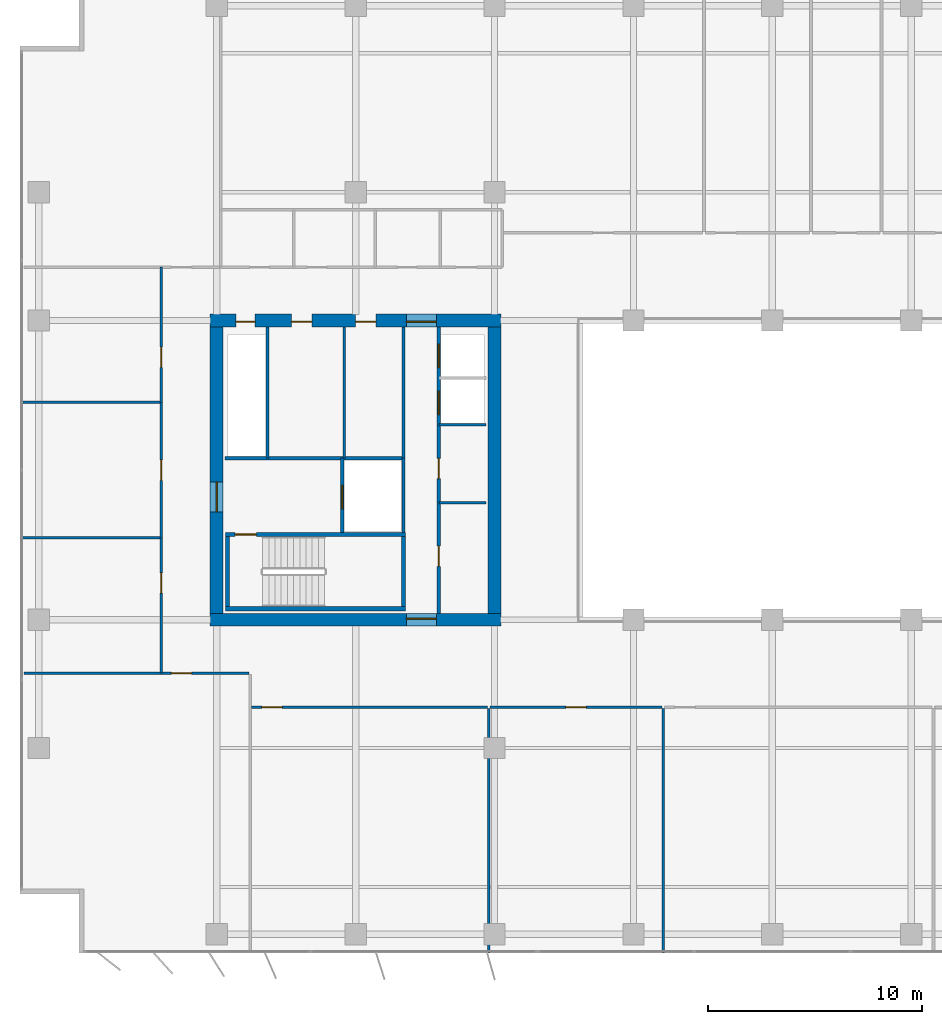
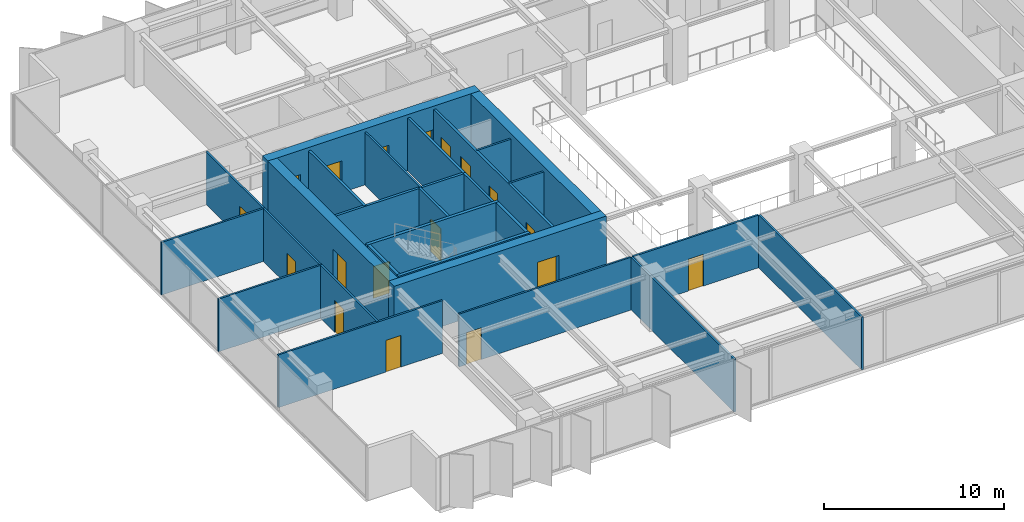
# One storey, part 15 of 22: 27 walls, 18 doors, 18 openings.
"""IFC4 building model written with IfcOpenShell, lengths in metres."""

import ifcopenshell
import ifcopenshell.guid

model = None  # the IFC model being written
_history = None  # IfcOwnerHistory: only IFC2X3 demands one
_inside = {}  # id of a spatial element -> (the spatial element, [elements in it])
_under = {}  # id of a project, library or spatial element -> (it, [spatial elements below it])
_declared = {}  # id of a project -> (the project, [libraries it declares])
_typed = {}  # id of a type object -> (the type object, [elements of that type])
_made_of = {}  # id of a material, layer set ... -> (it, [elements and type objects made of it])


def new_model(schema):
    """Start an empty IFC model of exactly this schema.

    Asked for "IFC4X3", IfcOpenShell would pick the latest addendum, in which some entities
    have other attributes; the version numbers below select the first issue.
    IFC2X3 requires an IfcOwnerHistory on every rooted entity: one is made here for all.
    """
    global model, _history
    if schema == "IFC4X3":
        model = ifcopenshell.file(schema_version=(4, 3, 0, 0))
    else:
        model = ifcopenshell.file(schema=schema)
    _inside.clear()
    _under.clear()
    _declared.clear()
    _typed.clear()
    _made_of.clear()
    _history = None
    if model.schema == "IFC2X3":
        org = make("IfcOrganization", Name="unknown")
        user = make(
            "IfcPersonAndOrganization",
            ThePerson=make("IfcPerson", FamilyName="unknown"),
            TheOrganization=org,
        )
        app = make(
            "IfcApplication",
            ApplicationDeveloper=org,
            Version="unknown",
            ApplicationFullName="unknown",
            ApplicationIdentifier="unknown",
        )
        _history = make(
            "IfcOwnerHistory",
            OwningUser=user,
            OwningApplication=app,
            ChangeAction="ADDED",
            CreationDate=0,
        )
    return model


def make(cls, **values):
    """One entity of the class cls with the attributes given. An attribute that is None is left unset."""
    return model.create_entity(
        cls, **{name: value for name, value in values.items() if value is not None}
    )


def rooted(cls, **values):
    """An entity with a GlobalId (a new one), such as an element, a storey or a relation."""
    return make(cls, GlobalId=ifcopenshell.guid.new(), OwnerHistory=_history, **values)


def si_unit(unit_type, name, prefix=None):
    """IfcSIUnit, for example si_unit("LENGTHUNIT", "METRE", prefix="MILLI")."""
    return make("IfcSIUnit", UnitType=unit_type, Prefix=prefix, Name=name)


def assignment(units):
    """IfcUnitAssignment: the units of a project."""
    return None if units is None else make("IfcUnitAssignment", Units=units)


def point(xyz):
    """IfcCartesianPoint."""
    return None if xyz is None else make("IfcCartesianPoint", Coordinates=xyz)


def direction(xyz):
    """IfcDirection."""
    return None if xyz is None else make("IfcDirection", DirectionRatios=xyz)


def frame(location, z_axis=None, x_axis=None):
    """IfcAxis2Placement3D, a coordinate frame: its origin and axes. An axis left out is left unset."""
    return make(
        "IfcAxis2Placement3D",
        Location=point(location),
        Axis=direction(z_axis),
        RefDirection=direction(x_axis),
    )


def frame_2d(location, x_axis=None):
    """IfcAxis2Placement2D, a coordinate frame in the plane: its origin and x axis."""
    return make(
        "IfcAxis2Placement2D", Location=point(location), RefDirection=direction(x_axis)
    )


def origin():
    """The frame at (0, 0, 0) with its axes left unset."""
    return frame((0.0, 0.0, 0.0))


def place(relative_to, where):
    """IfcLocalPlacement: puts the frame where relative to a parent placement (None: the world)."""
    return make(
        "IfcLocalPlacement", PlacementRelTo=relative_to, RelativePlacement=where
    )


def context(
    kind, dimensions, precision=None, world=None, true_north=None, identifier=None
):
    """IfcGeometricRepresentationContext, for example the 3D "Model" context."""
    return make(
        "IfcGeometricRepresentationContext",
        ContextIdentifier=identifier,
        ContextType=kind,
        CoordinateSpaceDimension=dimensions,
        Precision=precision,
        WorldCoordinateSystem=world,
        TrueNorth=true_north,
    )


def subcontext(parent, identifier, kind, view, scale=None):
    """IfcGeometricRepresentationSubContext, for example "Body" below "Model"."""
    return make(
        "IfcGeometricRepresentationSubContext",
        ContextIdentifier=identifier,
        ContextType=kind,
        ParentContext=parent,
        TargetScale=scale,
        TargetView=view,
    )


def project(units=None, contexts=None):
    """IfcProject with its units and contexts."""
    return rooted(
        "IfcProject",
        Name="project",
        RepresentationContexts=contexts,
        UnitsInContext=assignment(units),
    )


def spatial(cls, under=None, at=None, **own):
    """A site, building, storey or space (cls), placed at a placement, below another one or the project."""
    s = rooted(cls, ObjectPlacement=at, **own)
    if under is not None:
        _under.setdefault(under.id(), (under, []))[1].append(s)
    return s


def profile(cls, at=None, kind="AREA", **sizes):
    """A parametric profile (cls). Its sizes go by their IFC names, for example OverallWidth=200.0."""
    return make(cls, ProfileType=kind, Position=at, **sizes)


def rectangle(**sizes):
    """IfcRectangleProfileDef."""
    return profile("IfcRectangleProfileDef", **sizes)


def extrude(swept, where, along, depth):
    """IfcExtrudedAreaSolid: the profile swept, set in the frame where, extruded along a direction by depth."""
    return make(
        "IfcExtrudedAreaSolid",
        SweptArea=swept,
        Position=where,
        ExtrudedDirection=direction(along),
        Depth=depth,
    )


def shape(context_of_items, identifier, shape_type, items):
    """IfcShapeRepresentation: the items that make up one representation, for example the "Body"."""
    return make(
        "IfcShapeRepresentation",
        ContextOfItems=context_of_items,
        RepresentationIdentifier=identifier,
        RepresentationType=shape_type,
        Items=items,
    )


def material(Name=None, Category=None):
    """IfcMaterial."""
    return make("IfcMaterial", Name=Name, Category=Category)


def layer(
    of_material, thickness, ventilated=None, Name=None, Category=None, Priority=None
):
    """IfcMaterialLayer: one layer of a wall or slab, of a material (None: an air gap)."""
    return make(
        "IfcMaterialLayer",
        Material=of_material,
        LayerThickness=thickness,
        IsVentilated=ventilated,
        Name=Name,
        Category=Category,
        Priority=Priority,
    )


def layer_set(layers, Name=None):
    """IfcMaterialLayerSet."""
    return make("IfcMaterialLayerSet", MaterialLayers=layers, LayerSetName=Name)


def made_of(thing, what):
    """Note that an element or type object is made of a material, layer set ...; save() writes the relation."""
    if what is not None:
        _made_of.setdefault(what.id(), (what, []))[1].append(thing)
    return thing


def type_object(cls, material=None, **own):
    """A type object (cls), such as IfcWallType, which elements share."""
    return made_of(rooted(cls, **own), material)


def element(
    cls,
    number,
    at=None,
    inside=None,
    cuts=None,
    type_object=None,
    material=None,
    context=None,
    identifier="Body",
    shape_type=None,
    held_by="IfcProductDefinitionShape",
    body=None,
    shapes=None,
    **own,
):
    """One element of the class cls, such as IfcWall. Its Tag is "e" and its number.

    at: its placement. inside: the storey or other place that contains it. cuts: it is an
    opening in that element (IfcRelVoidsElement). A single representation is given by context,
    identifier, shape_type and body (its items); several are given by shapes. held_by: the class
    of the entity that holds the representations. save() writes the other relations.
    """
    e = rooted(cls, Tag="e%d" % number, ObjectPlacement=at, **own)
    if body is not None:
        shapes = [shape(context, identifier, shape_type, body)]
    if shapes is not None:
        e.Representation = make(held_by, Representations=shapes)
    if inside is not None:
        _inside.setdefault(inside.id(), (inside, []))[1].append(e)
    if cuts is not None:
        rooted(
            "IfcRelVoidsElement", RelatingBuildingElement=cuts, RelatedOpeningElement=e
        )
    if type_object is not None:
        _typed.setdefault(type_object.id(), (type_object, []))[1].append(e)
    return made_of(e, material)


def fill(opening, filler):
    """IfcRelFillsElement: the door or window that sits in an opening."""
    return rooted(
        "IfcRelFillsElement",
        RelatingOpeningElement=opening,
        RelatedBuildingElement=filler,
    )


def aggregate(whole, parts):
    """IfcRelAggregates: a whole, such as a stair, and the parts it consists of."""
    return rooted("IfcRelAggregates", RelatingObject=whole, RelatedObjects=parts)


def save(model, path):
    """Write the relations noted so far, then the file.

    IfcRelAggregates (storeys below a building ...), IfcRelContainedInSpatialStructure (elements
    in a storey), IfcRelDefinesByType, IfcRelAssociatesMaterial and IfcRelDeclares: one each for
    every whole, place, type object, material and project.
    """
    for whole, parts in _under.values():
        aggregate(whole, parts)
    for where, things in _inside.values():
        rooted(
            "IfcRelContainedInSpatialStructure",
            RelatedElements=things,
            RelatingStructure=where,
        )
    for kind, things in _typed.values():
        rooted("IfcRelDefinesByType", RelatedObjects=things, RelatingType=kind)
    for what, things in _made_of.values():
        rooted("IfcRelAssociatesMaterial", RelatedObjects=things, RelatingMaterial=what)
    for by, libraries in _declared.values():
        rooted("IfcRelDeclares", RelatingContext=by, RelatedDefinitions=libraries)
    model.write(path)


model = new_model("IFC4")

# Units and contexts
model_context = context("Model", 3, precision=1e-05, world=origin(), true_north=direction((0.0, 1.0)))
body_context = subcontext(model_context, "Body", "Model", "MODEL_VIEW")
ifc_project = project(units=[si_unit("LENGTHUNIT", "METRE"), si_unit("AREAUNIT", "SQUARE_METRE"), si_unit("VOLUMEUNIT", "CUBIC_METRE"), si_unit("PLANEANGLEUNIT", "RADIAN"), si_unit("MASSUNIT", "GRAM", prefix="KILO")], contexts=[model_context])

# Site, building, storey
site_placement = place(None, origin())
site = spatial("IfcSite", under=ifc_project, at=site_placement, CompositionType="ELEMENT")
building_placement = place(site_placement, origin())
building = spatial("IfcBuilding", under=site, at=building_placement, Name="Putna Gate Headquarters", CompositionType="ELEMENT")
storey_placement = place(building_placement, frame((0.0, 0.0, 189.800048828125)))
storey = spatial("IfcBuildingStorey", under=building, at=storey_placement, Name="L47", CompositionType="ELEMENT", Elevation=189.800048828125)

# Wall, opening, door
ifc_material_1 = material(Name="Concrete C50/60", Category="concrete")
ifc_layer_1 = layer(ifc_material_1, 0.60009765625)
ifc_layer_set_1 = layer_set([ifc_layer_1], Name="Concrete C50/60")
wall_type_1 = type_object("IfcWallType", Name="WALL-CORE-600", PredefinedType="SHEAR", material=ifc_layer_set_1)
wall_1_placement = place(storey_placement, frame((12.699951171875, 19.0, 0.0), z_axis=(0.0, 0.0, 1.0), x_axis=(1.0, 0.0, 0.0)))
wall_1 = element("IfcWall", 1, at=wall_1_placement, inside=storey, type_object=wall_type_1, Name="L47 WC Split Core Shear Wall S", PredefinedType="SHEAR", context=body_context, shape_type="SweptSolid", body=[
    extrude(rectangle(XDim=13.60009765625, YDim=0.60009765625, at=frame_2d((6.800048828125, 0.0))), origin(), (0.0, 0.0, 1.0), 3.800048828125),
])
opening_1_placement = place(wall_1_placement, frame((9.179931640625, 0.0, 0.0)))
opening_1 = element("IfcOpeningElement", 2, at=opening_1_placement, cuts=wall_1, Name="Opening FDD-140", PredefinedType="OPENING", context=body_context, shape_type="SweptSolid", body=[
    extrude(rectangle(XDim=1.39990234375, YDim=2.199951171875, at=frame_2d((0.699951171875, 1.10009765625))), frame((0.0, 0.31005859375, 0.0), z_axis=(0.0, -1.0, 0.0), x_axis=(1.0, 0.0, 0.0)), (0.0, 0.0, 1.0), 0.6201171875),
])
ifc_material_2 = material(Name="Double steel fire door", Category="steel")
door_type_1 = type_object("IfcDoorType", Name="DOOR-FIRE-DBL-1400", OperationType="DOUBLE_DOOR_SINGLE_SWING", PredefinedType="DOOR", material=ifc_material_2)
door_1_placement = place(opening_1_placement, origin())
door_1 = element("IfcDoor", 3, at=door_1_placement, inside=storey, type_object=door_type_1, Name="L47 West Lift Lobby South Door", OperationType="DOUBLE_DOOR_SINGLE_SWING", OverallHeight=2.199951171875, OverallWidth=1.39990234375, PredefinedType="DOOR", context=body_context, shape_type="SweptSolid", body=[
    extrude(rectangle(XDim=1.39990234375, YDim=2.199951171875, at=frame_2d((0.699951171875, 1.10009765625))), frame((0.0, 0.0751953125, 0.0), z_axis=(0.0, -1.0, 0.0), x_axis=(1.0, 0.0, 0.0)), (0.0, 0.0, 1.0), 0.050048828125),
])
fill(opening_1, door_1)

# Wall, openings, doors
wall_2_placement = place(storey_placement, frame((12.699951171875, 33.0, 0.0), z_axis=(0.0, 0.0, 1.0), x_axis=(1.0, 0.0, 0.0)))
wall_2 = element("IfcWall", 4, at=wall_2_placement, inside=storey, type_object=wall_type_1, Name="L47 WC Split Core Shear Wall N", PredefinedType="SHEAR", context=body_context, shape_type="SweptSolid", body=[
    extrude(rectangle(XDim=13.60009765625, YDim=0.60009765625, at=frame_2d((6.800048828125, 0.0))), origin(), (0.0, 0.0, 1.0), 3.800048828125),
])
opening_2_placement = place(wall_2_placement, frame((1.199951171875, 0.0, 0.0)))
opening_2 = element("IfcOpeningElement", 5, at=opening_2_placement, cuts=wall_2, Name="Opening RD-90", PredefinedType="OPENING", context=body_context, shape_type="SweptSolid", body=[
    extrude(rectangle(XDim=0.89990234375, YDim=2.14990234375, at=frame_2d((0.449951171875, 1.074951171875))), frame((0.0, 0.31005859375, 0.0), z_axis=(0.0, -1.0, 0.0), x_axis=(1.0, 0.0, 0.0)), (0.0, 0.0, 1.0), 0.6201171875),
])
opening_3_placement = place(wall_2_placement, frame((3.800048828125, 0.0, 0.0)))
opening_3 = element("IfcOpeningElement", 6, at=opening_3_placement, cuts=wall_2, Name="Opening IDS-95", PredefinedType="OPENING", context=body_context, shape_type="SweptSolid", body=[
    extrude(rectangle(XDim=0.949951171875, YDim=2.14990234375, at=frame_2d((0.47509765625, 1.074951171875))), frame((0.0, 0.31005859375, 0.0), z_axis=(0.0, -1.0, 0.0), x_axis=(1.0, 0.0, 0.0)), (0.0, 0.0, 1.0), 0.6201171875),
])
opening_4_placement = place(wall_2_placement, frame((6.800048828125, 0.0, 0.0)))
opening_4 = element("IfcOpeningElement", 7, at=opening_4_placement, cuts=wall_2, Name="Opening IDS-95", PredefinedType="OPENING", context=body_context, shape_type="SweptSolid", body=[
    extrude(rectangle(XDim=0.949951171875, YDim=2.14990234375, at=frame_2d((0.47509765625, 1.074951171875))), frame((0.0, 0.31005859375, 0.0), z_axis=(0.0, -1.0, 0.0), x_axis=(1.0, 0.0, 0.0)), (0.0, 0.0, 1.0), 0.6201171875),
])
opening_5_placement = place(wall_2_placement, frame((9.179931640625, 0.0, 0.0)))
opening_5 = element("IfcOpeningElement", 8, at=opening_5_placement, cuts=wall_2, Name="Opening FDD-140", PredefinedType="OPENING", context=body_context, shape_type="SweptSolid", body=[
    extrude(rectangle(XDim=1.39990234375, YDim=2.199951171875, at=frame_2d((0.699951171875, 1.10009765625))), frame((0.0, 0.31005859375, 0.0), z_axis=(0.0, -1.0, 0.0), x_axis=(1.0, 0.0, 0.0)), (0.0, 0.0, 1.0), 0.6201171875),
])
door_2_placement = place(opening_5_placement, origin())
door_2 = element("IfcDoor", 9, at=door_2_placement, inside=storey, type_object=door_type_1, Name="L47 West Lift Lobby North Door", OperationType="DOUBLE_DOOR_SINGLE_SWING", OverallHeight=2.199951171875, OverallWidth=1.39990234375, PredefinedType="DOOR", context=body_context, shape_type="SweptSolid", body=[
    extrude(rectangle(XDim=1.39990234375, YDim=2.199951171875, at=frame_2d((0.699951171875, 1.10009765625))), frame((0.0, -0.02490234375, 0.0), z_axis=(0.0, -1.0, 0.0), x_axis=(1.0, 0.0, 0.0)), (0.0, 0.0, 1.0), 0.050048828125),
])
fill(opening_5, door_2)
ifc_material_3 = material(Name="Fire-rated service timber door", Category="wood")
door_type_2 = type_object("IfcDoorType", Name="DOOR-INT-950", OperationType="NOTDEFINED", PredefinedType="DOOR", material=ifc_material_3)
door_3_placement = place(opening_3_placement, origin())
door_3 = element("IfcDoor", 10, at=door_3_placement, inside=storey, type_object=door_type_2, Name="L47 Cleaner Store Door", OperationType="SINGLE_SWING_LEFT", OverallHeight=2.14990234375, OverallWidth=0.949951171875, PredefinedType="DOOR", context=body_context, shape_type="SweptSolid", body=[
    extrude(rectangle(XDim=0.949951171875, YDim=2.14990234375, at=frame_2d((0.47509765625, 1.074951171875))), frame((0.0, -0.02490234375, 0.0), z_axis=(0.0, -1.0, 0.0), x_axis=(1.0, 0.0, 0.0)), (0.0, 0.0, 1.0), 0.050048828125),
])
fill(opening_3, door_3)
door_4_placement = place(opening_4_placement, origin())
door_4 = element("IfcDoor", 11, at=door_4_placement, inside=storey, type_object=door_type_2, Name="L47 Comms Plant Door", OperationType="SINGLE_SWING_RIGHT", OverallHeight=2.14990234375, OverallWidth=0.949951171875, PredefinedType="DOOR", context=body_context, shape_type="SweptSolid", body=[
    extrude(rectangle(XDim=0.949951171875, YDim=2.14990234375, at=frame_2d((0.47509765625, 1.074951171875))), frame((0.0, -0.02490234375, 0.0), z_axis=(0.0, -1.0, 0.0), x_axis=(1.0, 0.0, 0.0)), (0.0, 0.0, 1.0), 0.050048828125),
])
fill(opening_4, door_4)
ifc_material_4 = material(Name="Steel riser access fire door", Category="steel")
door_type_3 = type_object("IfcDoorType", Name="DOOR-RISER-900", OperationType="NOTDEFINED", PredefinedType="DOOR", material=ifc_material_4)
door_5_placement = place(opening_2_placement, origin())
door_5 = element("IfcDoor", 12, at=door_5_placement, inside=storey, type_object=door_type_3, Name="L47 West Riser Access Door", OperationType="SINGLE_SWING_RIGHT", OverallHeight=2.14990234375, OverallWidth=0.89990234375, PredefinedType="DOOR", context=body_context, shape_type="SweptSolid", body=[
    extrude(rectangle(XDim=0.89990234375, YDim=2.14990234375, at=frame_2d((0.449951171875, 1.074951171875))), frame((0.0, -0.02490234375, 0.0), z_axis=(0.0, -1.0, 0.0), x_axis=(1.0, 0.0, 0.0)), (0.0, 0.0, 1.0), 0.050048828125),
])
fill(opening_2, door_5)

# Wall, opening, door
wall_3_placement = place(storey_placement, frame((13.0, 19.300048828125, 0.0), z_axis=(0.0, 0.0, 1.0), x_axis=(0.0, 1.0, 0.0)))
wall_3 = element("IfcWall", 13, at=wall_3_placement, inside=storey, type_object=wall_type_1, Name="L47 WC Split Core Shear Wall W", PredefinedType="SHEAR", context=body_context, shape_type="SweptSolid", body=[
    extrude(rectangle(XDim=13.39990234375, YDim=0.60009765625, at=frame_2d((6.699951171875, 0.0))), origin(), (0.0, 0.0, 1.0), 3.800048828125),
])
opening_6_placement = place(wall_3_placement, frame((4.75, 0.0, 0.0)))
opening_6 = element("IfcOpeningElement", 14, at=opening_6_placement, cuts=wall_3, Name="Opening FDD-140", PredefinedType="OPENING", context=body_context, shape_type="SweptSolid", body=[
    extrude(rectangle(XDim=1.39990234375, YDim=2.199951171875, at=frame_2d((0.699951171875, 1.10009765625))), frame((0.0, 0.31005859375, 0.0), z_axis=(0.0, -1.0, 0.0), x_axis=(1.0, 0.0, 0.0)), (0.0, 0.0, 1.0), 0.6201171875),
])
door_6_placement = place(opening_6_placement, origin())
door_6 = element("IfcDoor", 15, at=door_6_placement, inside=storey, type_object=door_type_1, Name="L47 West Firefighting Lobby Door", OperationType="DOUBLE_DOOR_SINGLE_SWING", OverallHeight=2.199951171875, OverallWidth=1.39990234375, PredefinedType="DOOR", context=body_context, shape_type="SweptSolid", body=[
    extrude(rectangle(XDim=1.39990234375, YDim=2.199951171875, at=frame_2d((0.699951171875, 1.10009765625))), frame((0.0, 0.02490234375, 0.0), z_axis=(0.0, -1.0, 0.0), x_axis=(1.0, 0.0, 0.0)), (0.0, 0.0, 1.0), 0.050048828125),
])
fill(opening_6, door_6)

# Walls
wall_4_placement = place(storey_placement, frame((26.0, 19.300048828125, 0.0), z_axis=(0.0, 0.0, 1.0), x_axis=(0.0, 1.0, 0.0)))
element("IfcWall", 16, at=wall_4_placement, inside=storey, type_object=wall_type_1, Name="L47 WC Split Core Shear Wall E", PredefinedType="SHEAR", context=body_context, shape_type="SweptSolid", body=[
    extrude(rectangle(XDim=13.39990234375, YDim=0.60009765625, at=frame_2d((6.699951171875, 0.0))), origin(), (0.0, 0.0, 1.0), 3.800048828125),
])
ifc_material_5 = material(Name="Acoustic gypsum board on metal stud")
ifc_layer_2 = layer(ifc_material_5, 0.1201171875)
ifc_layer_set_2 = layer_set([ifc_layer_2], Name="Acoustic gypsum board on metal stud")
wall_type_2 = type_object("IfcWallType", Name="WALL-PART-120", PredefinedType="PARTITIONING", material=ifc_layer_set_2)
for number, where, z_axis, x_axis, name in (
    (17, (25.727294921875, 3.419921875, 0.0), (0.0, 0.0, 1.0), (0.0, 1.0, 0.0), "L47 Interior Wall PART-L47-SB-DIV-02"),
    (18, (33.89404296875, 3.419921875, 0.0), (0.0, 0.0, 1.0), (0.0, 1.0, 0.0), "L47 Interior Wall PART-L47-SB-DIV-03"),
):
    element("IfcWall", number, at=place(storey_placement, frame(where, z_axis=z_axis, x_axis=x_axis)), inside=storey, type_object=wall_type_2, Name=name, PredefinedType="PARTITIONING", context=body_context, shape_type="SweptSolid", body=[
        extrude(rectangle(XDim=11.420166015625, YDim=0.1201171875, at=frame_2d((5.7099609375, 0.0))), origin(), (0.0, 0.0, 1.0), 3.572021484375),
    ])
for number, where, z_axis, x_axis, name in (
    (19, (3.820068359375, 22.833251953125, 0.0), (0.0, 0.0, 1.0), (1.0, 0.0, 0.0), "L47 Interior Wall PART-L47-WW-DIV-1"),
    (20, (3.820068359375, 29.166748046875, 0.0), (0.0, 0.0, 1.0), (1.0, 0.0, 0.0), "L47 Interior Wall PART-L47-WW-DIV-2"),
):
    element("IfcWall", number, at=place(storey_placement, frame(where, z_axis=z_axis, x_axis=x_axis)), inside=storey, type_object=wall_type_2, Name=name, PredefinedType="PARTITIONING", context=body_context, shape_type="SweptSolid", body=[
        extrude(rectangle(XDim=6.579833984375, YDim=0.1201171875, at=frame_2d((3.2900390625, 0.0))), origin(), (0.0, 0.0, 1.0), 3.572021484375),
    ])
ifc_material_6 = material(Name="Fire-rated gypsum board on metal stud")
ifc_layer_3 = layer(ifc_material_6, 0.1201171875)
ifc_layer_set_3 = layer_set([ifc_layer_3], Name="Fire-rated gypsum board on metal stud")
wall_type_3 = type_object("IfcWallType", Name="WALL-PART-120-RATED", PredefinedType="PARTITIONING", material=ifc_layer_set_3)
wall_5_placement = place(storey_placement, frame((18.969970703125, 26.56005859375, 0.0), z_axis=(0.0, 0.0, 1.0), x_axis=(0.0, 1.0, 0.0)))
element("IfcWall", 21, at=wall_5_placement, inside=storey, type_object=wall_type_3, Name="L47 Interior Wall CWINT-L47-WC-K0-DIV", PredefinedType="PARTITIONING", context=body_context, shape_type="SweptSolid", body=[
    extrude(rectangle(XDim=6.139892578125, YDim=0.1201171875, at=frame_2d((3.06982421875, 0.0))), origin(), (0.0, 0.0, 1.0), 3.572021484375),
])
for number, where, z_axis, x_axis, name in (
    (22, (23.39990234375, 24.469970703125, 0.0), (0.0, 0.0, 1.0), (1.0, 0.0, 0.0), "L47 Interior Wall CWINT-L47-WC-REUSE-DIV"),
    (23, (23.39990234375, 28.1201171875, 0.0), (0.0, 0.0, 1.0), (1.0, 0.0, 0.0), "L47 Interior Wall CWINT-L47-WC-LF06-DIV"),
):
    element("IfcWall", number, at=place(storey_placement, frame(where, z_axis=z_axis, x_axis=x_axis)), inside=storey, type_object=wall_type_3, Name=name, PredefinedType="PARTITIONING", context=body_context, shape_type="SweptSolid", body=[
        extrude(rectangle(XDim=2.2001953125, YDim=0.1201171875, at=frame_2d((1.10009765625, 0.0))), origin(), (0.0, 0.0, 1.0), 3.572021484375),
    ])

# Wall, opening, door
wall_6_placement = place(storey_placement, frame((3.97998046875, 16.5, 0.0), z_axis=(0.0, 0.0, 1.0), x_axis=(1.0, 0.0, 0.0)))
wall_6 = element("IfcWall", 24, at=wall_6_placement, inside=storey, type_object=wall_type_3, Name="L47 Interior Wall PART-L47-SB-CW-01", PredefinedType="PARTITIONING", context=body_context, shape_type="SweptSolid", body=[
    extrude(rectangle(XDim=10.537109375, YDim=0.1201171875, at=frame_2d((5.2685546875, 0.0))), origin(), (0.0, 0.0, 1.0), 3.572021484375),
])
opening_7_placement = place(wall_6_placement, frame((6.89990234375, 0.0, 0.0)))
opening_7 = element("IfcOpeningElement", 25, at=opening_7_placement, cuts=wall_6, Name="Opening FD-95", PredefinedType="OPENING", context=body_context, shape_type="SweptSolid", body=[
    extrude(rectangle(XDim=0.949951171875, YDim=2.14990234375, at=frame_2d((0.47509765625, 1.074951171875))), frame((0.0, 0.070068359375, 0.0), z_axis=(0.0, -1.0, 0.0), x_axis=(1.0, 0.0, 0.0)), (0.0, 0.0, 1.0), 0.14013671875),
])
ifc_material_7 = material(Name="Acoustic timber fire door", Category="wood")
door_type_4 = type_object("IfcDoorType", Name="DOOR-FIRE-950", OperationType="NOTDEFINED", PredefinedType="DOOR", material=ifc_material_7)
door_7_placement = place(opening_7_placement, origin())
door_7 = element("IfcDoor", 26, at=door_7_placement, inside=storey, type_object=door_type_4, Name="L47 Conference Meeting Room 5 Door", OperationType="SINGLE_SWING_LEFT", OverallHeight=2.14990234375, OverallWidth=0.949951171875, PredefinedType="DOOR", context=body_context, shape_type="SweptSolid", body=[
    extrude(rectangle(XDim=0.949951171875, YDim=2.14990234375, at=frame_2d((0.47509765625, 1.074951171875))), frame((0.0, 0.02490234375, 0.0), z_axis=(0.0, -1.0, 0.0), x_axis=(1.0, 0.0, 0.0)), (0.0, 0.0, 1.0), 0.050048828125),
])
fill(opening_7, door_7)

wall_7_placement = place(storey_placement, frame((14.63720703125, 14.89990234375, 0.0), z_axis=(0.0, 0.0, 1.0), x_axis=(1.0, 0.0, 0.0)))
wall_7 = element("IfcWall", 27, at=wall_7_placement, inside=storey, type_object=wall_type_3, Name="L47 Interior Wall PART-L47-SB-CW-02", PredefinedType="PARTITIONING", context=body_context, shape_type="SweptSolid", body=[
    extrude(rectangle(XDim=11.0302734375, YDim=0.1201171875, at=frame_2d((5.51513671875, 0.0))), origin(), (0.0, 0.0, 1.0), 3.572021484375),
])
opening_8_placement = place(wall_7_placement, frame((0.47998046875, 0.0, 0.0)))
opening_8 = element("IfcOpeningElement", 28, at=opening_8_placement, cuts=wall_7, Name="Opening FD-95", PredefinedType="OPENING", context=body_context, shape_type="SweptSolid", body=[
    extrude(rectangle(XDim=0.949951171875, YDim=2.14990234375, at=frame_2d((0.47509765625, 1.074951171875))), frame((0.0, 0.070068359375, 0.0), z_axis=(0.0, -1.0, 0.0), x_axis=(1.0, 0.0, 0.0)), (0.0, 0.0, 1.0), 0.14013671875),
])
door_8_placement = place(opening_8_placement, origin())
door_8 = element("IfcDoor", 29, at=door_8_placement, inside=storey, type_object=door_type_4, Name="L47 Cellular Office 4 Door", OperationType="SINGLE_SWING_RIGHT", OverallHeight=2.14990234375, OverallWidth=0.949951171875, PredefinedType="DOOR", context=body_context, shape_type="SweptSolid", body=[
    extrude(rectangle(XDim=0.949951171875, YDim=2.14990234375, at=frame_2d((0.47509765625, 1.074951171875))), frame((0.0, 0.02490234375, 0.0), z_axis=(0.0, -1.0, 0.0), x_axis=(1.0, 0.0, 0.0)), (0.0, 0.0, 1.0), 0.050048828125),
])
fill(opening_8, door_8)

wall_8_placement = place(storey_placement, frame((25.787353515625, 14.89990234375, 0.0), z_axis=(0.0, 0.0, 1.0), x_axis=(1.0, 0.0, 0.0)))
wall_8 = element("IfcWall", 30, at=wall_8_placement, inside=storey, type_object=wall_type_3, Name="L47 Interior Wall PART-L47-SB-CW-03", PredefinedType="PARTITIONING", context=body_context, shape_type="SweptSolid", body=[
    extrude(rectangle(XDim=8.046630859375, YDim=0.1201171875, at=frame_2d((4.0234375, 0.0))), origin(), (0.0, 0.0, 1.0), 3.572021484375),
])
opening_9_placement = place(wall_8_placement, frame((3.54833984375, 0.0, 0.0)))
opening_9 = element("IfcOpeningElement", 31, at=opening_9_placement, cuts=wall_8, Name="Opening FD-95", PredefinedType="OPENING", context=body_context, shape_type="SweptSolid", body=[
    extrude(rectangle(XDim=0.949951171875, YDim=2.14990234375, at=frame_2d((0.47509765625, 1.074951171875))), frame((0.0, 0.070068359375, 0.0), z_axis=(0.0, -1.0, 0.0), x_axis=(1.0, 0.0, 0.0)), (0.0, 0.0, 1.0), 0.14013671875),
])
door_9_placement = place(opening_9_placement, origin())
door_9 = element("IfcDoor", 32, at=door_9_placement, inside=storey, type_object=door_type_4, Name="L47 Cellular Office 5 Door", OperationType="SINGLE_SWING_LEFT", OverallHeight=2.14990234375, OverallWidth=0.949951171875, PredefinedType="DOOR", context=body_context, shape_type="SweptSolid", body=[
    extrude(rectangle(XDim=0.949951171875, YDim=2.14990234375, at=frame_2d((0.47509765625, 1.074951171875))), frame((0.0, 0.02490234375, 0.0), z_axis=(0.0, -1.0, 0.0), x_axis=(1.0, 0.0, 0.0)), (0.0, 0.0, 1.0), 0.050048828125),
])
fill(opening_9, door_9)

wall_9_placement = place(storey_placement, frame((10.39990234375, 16.5, 0.0), z_axis=(0.0, 0.0, 1.0), x_axis=(0.0, 1.0, 0.0)))
wall_9 = element("IfcWall", 33, at=wall_9_placement, inside=storey, type_object=wall_type_3, Name="L47 Interior Wall PART-L47-WW-CW-1", PredefinedType="PARTITIONING", context=body_context, shape_type="SweptSolid", body=[
    extrude(rectangle(XDim=6.333251953125, YDim=0.1201171875, at=frame_2d((3.16650390625, 0.0))), origin(), (0.0, 0.0, 1.0), 3.572021484375),
])
opening_10_placement = place(wall_9_placement, frame((3.74169921875, 0.0, 0.0)))
opening_10 = element("IfcOpeningElement", 34, at=opening_10_placement, cuts=wall_9, Name="Opening FD-95", PredefinedType="OPENING", context=body_context, shape_type="SweptSolid", body=[
    extrude(rectangle(XDim=0.949951171875, YDim=2.14990234375, at=frame_2d((0.47509765625, 1.074951171875))), frame((0.0, 0.070068359375, 0.0), z_axis=(0.0, -1.0, 0.0), x_axis=(1.0, 0.0, 0.0)), (0.0, 0.0, 1.0), 0.14013671875),
])
door_10_placement = place(opening_10_placement, origin())
door_10 = element("IfcDoor", 35, at=door_10_placement, inside=storey, type_object=door_type_4, Name="L47 West Project Meeting Room 1 Door", OperationType="SINGLE_SWING_RIGHT", OverallHeight=2.14990234375, OverallWidth=0.949951171875, PredefinedType="DOOR", context=body_context, shape_type="SweptSolid", body=[
    extrude(rectangle(XDim=0.949951171875, YDim=2.14990234375, at=frame_2d((0.47509765625, 1.074951171875))), frame((0.0, 0.02490234375, 0.0), z_axis=(0.0, -1.0, 0.0), x_axis=(1.0, 0.0, 0.0)), (0.0, 0.0, 1.0), 0.050048828125),
])
fill(opening_10, door_10)

wall_10_placement = place(storey_placement, frame((10.39990234375, 22.833251953125, 0.0), z_axis=(0.0, 0.0, 1.0), x_axis=(0.0, 1.0, 0.0)))
wall_10 = element("IfcWall", 36, at=wall_10_placement, inside=storey, type_object=wall_type_3, Name="L47 Interior Wall PART-L47-WW-CW-2", PredefinedType="PARTITIONING", context=body_context, shape_type="SweptSolid", body=[
    extrude(rectangle(XDim=6.33349609375, YDim=0.1201171875, at=frame_2d((3.166748046875, 0.0))), origin(), (0.0, 0.0, 1.0), 3.572021484375),
])
opening_11_placement = place(wall_10_placement, frame((2.691650390625, 0.0, 0.0)))
opening_11 = element("IfcOpeningElement", 37, at=opening_11_placement, cuts=wall_10, Name="Opening FD-95", PredefinedType="OPENING", context=body_context, shape_type="SweptSolid", body=[
    extrude(rectangle(XDim=0.949951171875, YDim=2.14990234375, at=frame_2d((0.47509765625, 1.074951171875))), frame((0.0, 0.070068359375, 0.0), z_axis=(0.0, -1.0, 0.0), x_axis=(1.0, 0.0, 0.0)), (0.0, 0.0, 1.0), 0.14013671875),
])
door_11_placement = place(opening_11_placement, origin())
door_11 = element("IfcDoor", 38, at=door_11_placement, inside=storey, type_object=door_type_4, Name="L47 West Project Meeting Room 2 Door", OperationType="SINGLE_SWING_LEFT", OverallHeight=2.14990234375, OverallWidth=0.949951171875, PredefinedType="DOOR", context=body_context, shape_type="SweptSolid", body=[
    extrude(rectangle(XDim=0.949951171875, YDim=2.14990234375, at=frame_2d((0.47509765625, 1.074951171875))), frame((0.0, 0.02490234375, 0.0), z_axis=(0.0, -1.0, 0.0), x_axis=(1.0, 0.0, 0.0)), (0.0, 0.0, 1.0), 0.050048828125),
])
fill(opening_11, door_11)

wall_11_placement = place(storey_placement, frame((10.39990234375, 29.166748046875, 0.0), z_axis=(0.0, 0.0, 1.0), x_axis=(0.0, 1.0, 0.0)))
wall_11 = element("IfcWall", 39, at=wall_11_placement, inside=storey, type_object=wall_type_3, Name="L47 Interior Wall PART-L47-WW-CW-3", PredefinedType="PARTITIONING", context=body_context, shape_type="SweptSolid", body=[
    extrude(rectangle(XDim=6.333251953125, YDim=0.1201171875, at=frame_2d((3.16650390625, 0.0))), origin(), (0.0, 0.0, 1.0), 3.572021484375),
])
opening_12_placement = place(wall_11_placement, frame((1.6416015625, 0.0, 0.0)))
opening_12 = element("IfcOpeningElement", 40, at=opening_12_placement, cuts=wall_11, Name="Opening FD-95", PredefinedType="OPENING", context=body_context, shape_type="SweptSolid", body=[
    extrude(rectangle(XDim=0.949951171875, YDim=2.14990234375, at=frame_2d((0.47509765625, 1.074951171875))), frame((0.0, 0.070068359375, 0.0), z_axis=(0.0, -1.0, 0.0), x_axis=(1.0, 0.0, 0.0)), (0.0, 0.0, 1.0), 0.14013671875),
])
door_12_placement = place(opening_12_placement, origin())
door_12 = element("IfcDoor", 41, at=door_12_placement, inside=storey, type_object=door_type_4, Name="L47 West Project Meeting Room 3 Door", OperationType="SINGLE_SWING_RIGHT", OverallHeight=2.14990234375, OverallWidth=0.949951171875, PredefinedType="DOOR", context=body_context, shape_type="SweptSolid", body=[
    extrude(rectangle(XDim=0.949951171875, YDim=2.14990234375, at=frame_2d((0.47509765625, 1.074951171875))), frame((0.0, 0.02490234375, 0.0), z_axis=(0.0, -1.0, 0.0), x_axis=(1.0, 0.0, 0.0)), (0.0, 0.0, 1.0), 0.050048828125),
])
fill(opening_12, door_12)

# Wall
ifc_material_8 = material(Name="Concrete C40/50", Category="concrete")
ifc_layer_4 = layer(ifc_material_8, 0.159912109375)
ifc_layer_set_4 = layer_set([ifc_layer_4], Name="Concrete C40/50")
wall_type_4 = type_object("IfcWallType", Name="WALL-SHAFT-160", PredefinedType="STANDARD", material=ifc_layer_set_4)
wall_12_placement = place(storey_placement, frame((21.739990234375, 23.090087890625, 0.0), z_axis=(0.0, 0.0, 1.0), x_axis=(0.0, 1.0, 0.0)))
element("IfcWall", 42, at=wall_12_placement, inside=storey, type_object=wall_type_4, Name="L47 Interior Wall CWINT-L47-WC-FFL-E", PredefinedType="STANDARD", context=body_context, shape_type="SweptSolid", body=[
    extrude(rectangle(XDim=3.469970703125, YDim=0.159912109375, at=frame_2d((1.73486328125, 0.0))), origin(), (0.0, 0.0, 1.0), 3.572021484375),
])

# Wall, opening, door
wall_13_placement = place(storey_placement, frame((18.8798828125, 23.090087890625, 0.0), z_axis=(0.0, 0.0, 1.0), x_axis=(0.0, 1.0, 0.0)))
wall_13 = element("IfcWall", 43, at=wall_13_placement, inside=storey, type_object=wall_type_4, Name="L47 Interior Wall CWINT-L47-WC-LF13-W", PredefinedType="STANDARD", context=body_context, shape_type="SweptSolid", body=[
    extrude(rectangle(XDim=3.469970703125, YDim=0.159912109375, at=frame_2d((1.73486328125, 0.0))), origin(), (0.0, 0.0, 1.0), 3.572021484375),
])
opening_13_placement = place(wall_13_placement, frame((1.10009765625, 0.0, 0.0)))
opening_13 = element("IfcOpeningElement", 44, at=opening_13_placement, cuts=wall_13, Name="Opening LD-1", PredefinedType="OPENING", context=body_context, shape_type="SweptSolid", body=[
    extrude(rectangle(XDim=1.10009765625, YDim=2.199951171875, at=frame_2d((0.550048828125, 1.10009765625))), frame((0.0, 0.08984375, 0.0), z_axis=(0.0, -1.0, 0.0), x_axis=(1.0, 0.0, 0.0)), (0.0, 0.0, 1.0), 0.179931640625),
])
ifc_material_9 = material(Name="Brushed bronze stainless lift landing door")
door_type_5 = type_object("IfcDoorType", Name="DOOR-LIFT-1100", OperationType="DOUBLE_DOOR_SLIDING", PredefinedType="DOOR", material=ifc_material_9)
door_13_placement = place(opening_13_placement, origin())
door_13 = element("IfcDoor", 45, at=door_13_placement, inside=storey, type_object=door_type_5, Name="L47 Lift Landing Door LD-13", OperationType="DOUBLE_DOOR_SLIDING", OverallHeight=2.199951171875, OverallWidth=1.10009765625, PredefinedType="DOOR", context=body_context, shape_type="SweptSolid", body=[
    extrude(rectangle(XDim=1.10009765625, YDim=2.199951171875, at=frame_2d((0.550048828125, 1.10009765625))), frame((0.0, 0.02490234375, 0.0), z_axis=(0.0, -1.0, 0.0), x_axis=(1.0, 0.0, 0.0)), (0.0, 0.0, 1.0), 0.050048828125),
])
fill(opening_13, door_13)

# Walls
wall_14_placement = place(storey_placement, frame((13.39990234375, 26.56005859375, 0.0), z_axis=(0.0, 0.0, 1.0), x_axis=(1.0, 0.0, 0.0)))
element("IfcWall", 46, at=wall_14_placement, inside=storey, type_object=wall_type_4, Name="L47 Interior Wall CWINT-L47-WC-FFL-N", PredefinedType="STANDARD", context=body_context, shape_type="SweptSolid", body=[
    extrude(rectangle(XDim=8.340087890625, YDim=0.159912109375, at=frame_2d((4.169921875, 0.0))), origin(), (0.0, 0.0, 1.0), 3.572021484375),
])
for number, where, z_axis, x_axis, name in (
    (47, (15.3798828125, 26.56005859375, 0.0), (0.0, 0.0, 1.0), (0.0, 1.0, 0.0), "L47 Interior Wall CWINT-L47-WC-RISER-E"),
    (48, (21.739990234375, 26.56005859375, 0.0), (0.0, 0.0, 1.0), (0.0, 1.0, 0.0), "L47 Interior Wall CWINT-L47-WC-LOB-W"),
):
    element("IfcWall", number, at=place(storey_placement, frame(where, z_axis=z_axis, x_axis=x_axis)), inside=storey, type_object=wall_type_4, Name=name, PredefinedType="STANDARD", context=body_context, shape_type="SweptSolid", body=[
        extrude(rectangle(XDim=6.139892578125, YDim=0.159912109375, at=frame_2d((3.06982421875, 0.0))), origin(), (0.0, 0.0, 1.0), 3.572021484375),
    ])

# Wall, openings, doors
wall_15_placement = place(storey_placement, frame((23.39990234375, 19.300048828125, 0.0), z_axis=(0.0, 0.0, 1.0), x_axis=(0.0, 1.0, 0.0)))
wall_15 = element("IfcWall", 49, at=wall_15_placement, inside=storey, type_object=wall_type_4, Name="L47 Interior Wall CWINT-L47-WC-PL-WALL", PredefinedType="STANDARD", context=body_context, shape_type="SweptSolid", body=[
    extrude(rectangle(XDim=13.39990234375, YDim=0.159912109375, at=frame_2d((6.699951171875, 0.0))), origin(), (0.0, 0.0, 1.0), 3.572021484375),
])
opening_14_placement = place(wall_15_placement, frame((2.199951171875, 0.0, 0.0)))
opening_14 = element("IfcOpeningElement", 50, at=opening_14_placement, cuts=wall_15, Name="Opening IDS-95", PredefinedType="OPENING", context=body_context, shape_type="SweptSolid", body=[
    extrude(rectangle(XDim=0.949951171875, YDim=2.14990234375, at=frame_2d((0.47509765625, 1.074951171875))), frame((0.0, 0.08984375, 0.0), z_axis=(0.0, -1.0, 0.0), x_axis=(1.0, 0.0, 0.0)), (0.0, 0.0, 1.0), 0.179931640625),
])
opening_15_placement = place(wall_15_placement, frame((6.300048828125, 0.0, 0.0)))
opening_15 = element("IfcOpeningElement", 51, at=opening_15_placement, cuts=wall_15, Name="Opening IDS-95", PredefinedType="OPENING", context=body_context, shape_type="SweptSolid", body=[
    extrude(rectangle(XDim=0.949951171875, YDim=2.14990234375, at=frame_2d((0.47509765625, 1.074951171875))), frame((0.0, 0.08984375, 0.0), z_axis=(0.0, -1.0, 0.0), x_axis=(1.0, 0.0, 0.0)), (0.0, 0.0, 1.0), 0.179931640625),
])
opening_16_placement = place(wall_15_placement, frame((9.300048828125, 0.0, 0.0)))
opening_16 = element("IfcOpeningElement", 52, at=opening_16_placement, cuts=wall_15, Name="Opening LD-1", PredefinedType="OPENING", context=body_context, shape_type="SweptSolid", body=[
    extrude(rectangle(XDim=1.10009765625, YDim=2.199951171875, at=frame_2d((0.550048828125, 1.10009765625))), frame((0.0, 0.08984375, 0.0), z_axis=(0.0, -1.0, 0.0), x_axis=(1.0, 0.0, 0.0)), (0.0, 0.0, 1.0), 0.179931640625),
])
opening_17_placement = place(wall_15_placement, frame((11.5, 0.0, 0.0)))
opening_17 = element("IfcOpeningElement", 53, at=opening_17_placement, cuts=wall_15, Name="Opening LD-1", PredefinedType="OPENING", context=body_context, shape_type="SweptSolid", body=[
    extrude(rectangle(XDim=1.10009765625, YDim=2.199951171875, at=frame_2d((0.550048828125, 1.10009765625))), frame((0.0, 0.08984375, 0.0), z_axis=(0.0, -1.0, 0.0), x_axis=(1.0, 0.0, 0.0)), (0.0, 0.0, 1.0), 0.179931640625),
])
door_14_placement = place(opening_14_placement, origin())
door_14 = element("IfcDoor", 54, at=door_14_placement, inside=storey, type_object=door_type_2, Name="L47 Tenant IT Hub Door", OperationType="SINGLE_SWING_LEFT", OverallHeight=2.14990234375, OverallWidth=0.949951171875, PredefinedType="DOOR", context=body_context, shape_type="SweptSolid", body=[
    extrude(rectangle(XDim=0.949951171875, YDim=2.14990234375, at=frame_2d((0.47509765625, 1.074951171875))), frame((0.0, 0.02490234375, 0.0), z_axis=(0.0, -1.0, 0.0), x_axis=(1.0, 0.0, 0.0)), (0.0, 0.0, 1.0), 0.050048828125),
])
fill(opening_14, door_14)
door_15_placement = place(opening_15_placement, origin())
door_15 = element("IfcDoor", 55, at=door_15_placement, inside=storey, type_object=door_type_2, Name="L47 Records Vault Door", OperationType="SINGLE_SWING_RIGHT", OverallHeight=2.14990234375, OverallWidth=0.949951171875, PredefinedType="DOOR", context=body_context, shape_type="SweptSolid", body=[
    extrude(rectangle(XDim=0.949951171875, YDim=2.14990234375, at=frame_2d((0.47509765625, 1.074951171875))), frame((0.0, 0.02490234375, 0.0), z_axis=(0.0, -1.0, 0.0), x_axis=(1.0, 0.0, 0.0)), (0.0, 0.0, 1.0), 0.050048828125),
])
fill(opening_15, door_15)
door_16_placement = place(opening_16_placement, origin())
door_16 = element("IfcDoor", 56, at=door_16_placement, inside=storey, type_object=door_type_5, Name="L47 Lift Landing Door LD-09", OperationType="DOUBLE_DOOR_SLIDING", OverallHeight=2.199951171875, OverallWidth=1.10009765625, PredefinedType="DOOR", context=body_context, shape_type="SweptSolid", body=[
    extrude(rectangle(XDim=1.10009765625, YDim=2.199951171875, at=frame_2d((0.550048828125, 1.10009765625))), frame((0.0, 0.02490234375, 0.0), z_axis=(0.0, -1.0, 0.0), x_axis=(1.0, 0.0, 0.0)), (0.0, 0.0, 1.0), 0.050048828125),
])
fill(opening_16, door_16)
door_17_placement = place(opening_17_placement, origin())
door_17 = element("IfcDoor", 57, at=door_17_placement, inside=storey, type_object=door_type_5, Name="L47 Lift Landing Door LD-10", OperationType="DOUBLE_DOOR_SLIDING", OverallHeight=2.199951171875, OverallWidth=1.10009765625, PredefinedType="DOOR", context=body_context, shape_type="SweptSolid", body=[
    extrude(rectangle(XDim=1.10009765625, YDim=2.199951171875, at=frame_2d((0.550048828125, 1.10009765625))), frame((0.0, 0.02490234375, 0.0), z_axis=(0.0, -1.0, 0.0), x_axis=(1.0, 0.0, 0.0)), (0.0, 0.0, 1.0), 0.050048828125),
])
fill(opening_17, door_17)

# Wall
ifc_layer_5 = layer(ifc_material_8, 0.199951171875)
ifc_layer_set_5 = layer_set([ifc_layer_5], Name="Concrete C40/50")
wall_type_5 = type_object("IfcWallType", Name="WALL-SHAFT-RC200", PredefinedType="SHEAR", material=ifc_layer_set_5)
wall_16_placement = place(storey_placement, frame((13.409912109375, 19.510009765625, 0.0), z_axis=(0.0, 0.0, 1.0), x_axis=(1.0, 0.0, 0.0)))
element("IfcWall", 58, at=wall_16_placement, inside=storey, type_object=wall_type_5, Name="L47 Stair ST1 Structural Shaft Wall S", PredefinedType="SHEAR", context=body_context, shape_type="SweptSolid", body=[
    extrude(rectangle(XDim=8.43017578125, YDim=0.199951171875, at=frame_2d((4.215087890625, 0.0))), origin(), (0.0, 0.0, 1.0), 3.800048828125),
])

# Wall, opening, door
wall_17_placement = place(storey_placement, frame((13.409912109375, 22.989990234375, 0.0), z_axis=(0.0, 0.0, 1.0), x_axis=(1.0, 0.0, 0.0)))
wall_17 = element("IfcWall", 59, at=wall_17_placement, inside=storey, type_object=wall_type_5, Name="L47 Stair ST1 Structural Shaft Wall N", PredefinedType="SHEAR", context=body_context, shape_type="SweptSolid", body=[
    extrude(rectangle(XDim=8.43017578125, YDim=0.199951171875, at=frame_2d((4.215087890625, 0.0))), origin(), (0.0, 0.0, 1.0), 3.800048828125),
])
opening_18_placement = place(wall_17_placement, frame((0.449951171875, 0.0, 0.0)))
opening_18 = element("IfcOpeningElement", 60, at=opening_18_placement, cuts=wall_17, Name="Opening FD-100", PredefinedType="OPENING", context=body_context, shape_type="SweptSolid", body=[
    extrude(rectangle(XDim=1.0, YDim=2.14990234375, at=frame_2d((0.5, 1.074951171875))), frame((0.0, 0.10986328125, 0.0), z_axis=(0.0, -1.0, 0.0), x_axis=(1.0, 0.0, 0.0)), (0.0, 0.0, 1.0), 0.219970703125),
])
ifc_material_10 = material(Name="Powder-coated steel fire door", Category="steel")
door_type_6 = type_object("IfcDoorType", Name="DOOR-FIRE-1000", OperationType="NOTDEFINED", PredefinedType="DOOR", material=ifc_material_10)
door_18_placement = place(opening_18_placement, origin())
door_18 = element("IfcDoor", 61, at=door_18_placement, inside=storey, type_object=door_type_6, Name="L47 Stair ST1 Fire Door", OperationType="SINGLE_SWING_LEFT", OverallHeight=2.14990234375, OverallWidth=1.0, PredefinedType="DOOR", context=body_context, shape_type="SweptSolid", body=[
    extrude(rectangle(XDim=1.0, YDim=2.14990234375, at=frame_2d((0.5, 1.074951171875))), frame((0.0, 0.02490234375, 0.0), z_axis=(0.0, -1.0, 0.0), x_axis=(1.0, 0.0, 0.0)), (0.0, 0.0, 1.0), 0.050048828125),
])
fill(opening_18, door_18)

# Walls
for number, where, z_axis, x_axis, name in (
    (62, (13.510009765625, 19.610107421875, 0.0), (0.0, 0.0, 1.0), (0.0, 1.0, 0.0), "L47 Stair ST1 Structural Shaft Wall W"),
    (63, (21.739990234375, 19.610107421875, 0.0), (0.0, 0.0, 1.0), (0.0, 1.0, 0.0), "L47 Stair ST1 Structural Shaft Wall E"),
):
    element("IfcWall", number, at=place(storey_placement, frame(where, z_axis=z_axis, x_axis=x_axis)), inside=storey, type_object=wall_type_5, Name=name, PredefinedType="SHEAR", context=body_context, shape_type="SweptSolid", body=[
        extrude(rectangle(XDim=3.27978515625, YDim=0.199951171875, at=frame_2d((1.639892578125, 0.0))), origin(), (0.0, 0.0, 1.0), 3.800048828125),
    ])

save(model, "model.ifc")
